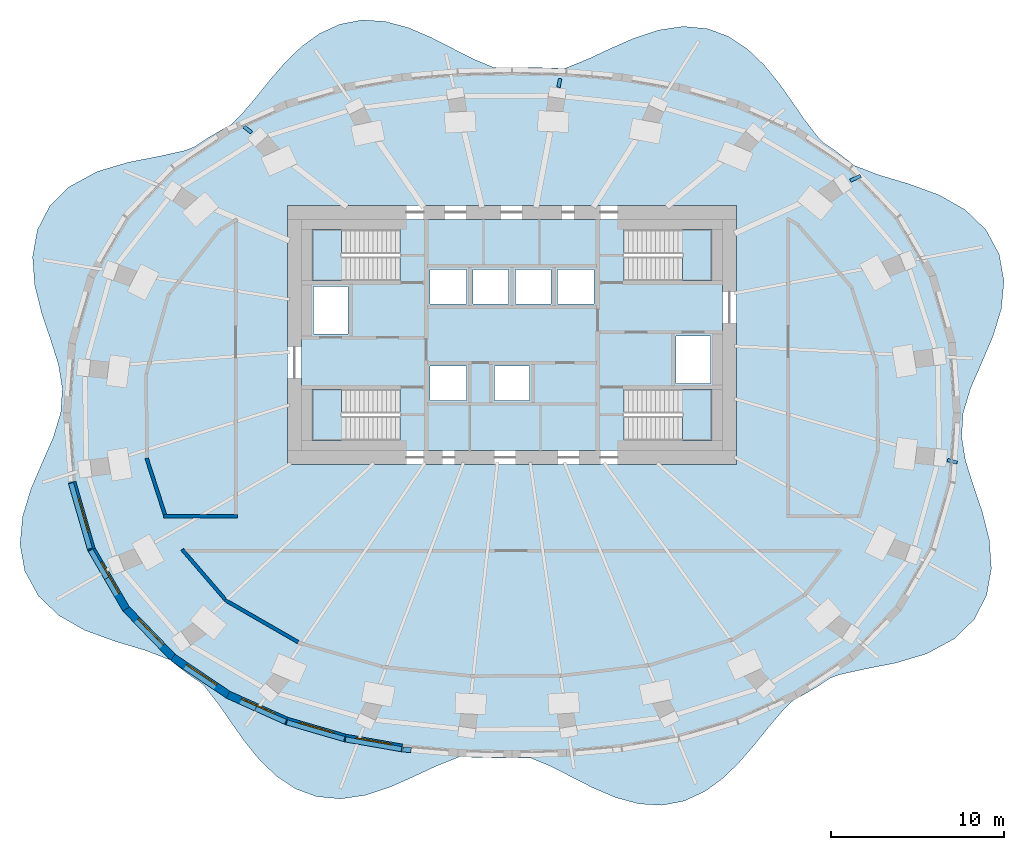
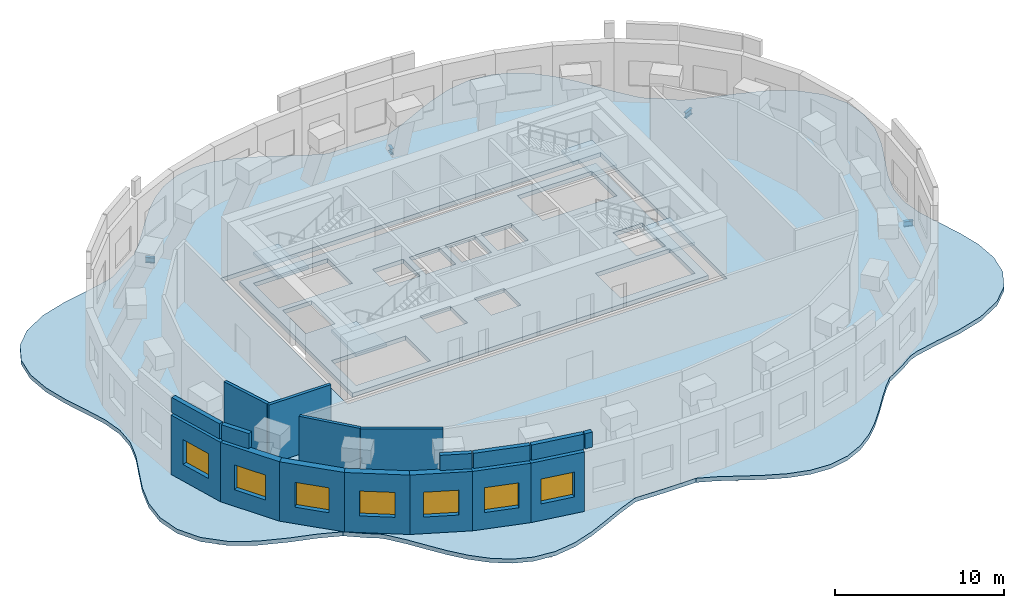
# One storey, part 3 of 9: 17 walls, 7 windows, 6 slabs, 4 beams, 7 openings, 4 elements without a shape of their own.
"""IFC4 building model written with IfcOpenShell, lengths in metres."""

from ifc_helpers import new_model, si_unit, direction, frame, frame_2d, origin, origin_2d, place, context, subcontext, project, spatial, polyline, rectangle, i_section, outline, extrude, material, layer, layer_set, material_profile, profile_set, type_object, element, fill, aggregate, save


model = new_model("IFC4")

# Units and contexts
model_context = context("Model", 3, precision=1e-05, world=origin(), true_north=direction((0.0, 1.0)))
body_context = subcontext(model_context, "Body", "Model", "MODEL_VIEW")
ifc_project = project(units=[si_unit("LENGTHUNIT", "METRE"), si_unit("AREAUNIT", "SQUARE_METRE"), si_unit("VOLUMEUNIT", "CUBIC_METRE"), si_unit("PLANEANGLEUNIT", "RADIAN"), si_unit("MASSUNIT", "GRAM", prefix="KILO")], contexts=[model_context])

# Site, building, storey
site_placement = place(None, origin())
site = spatial("IfcSite", under=ifc_project, at=site_placement, CompositionType="ELEMENT")
building_placement = place(site_placement, origin())
building = spatial("IfcBuilding", under=site, at=building_placement, Name="Rubra Terraces Tower", CompositionType="ELEMENT")
storey_placement = place(building_placement, frame((0.0, 0.0, 264.300048828125)))
storey = spatial("IfcBuildingStorey", under=building, at=storey_placement, Name="L65", CompositionType="ELEMENT", Elevation=264.300048828125)

# Beams
ifc_material_1 = material(Name="Steel Q355B", Category="steel")
ifc_material_profile = material_profile(ifc_material_1, i_section(OverallWidth=0.199951171875, OverallDepth=0.39990234375, WebThickness=0.008056640625, FlangeThickness=0.012939453125, at=origin_2d()), Name="HN 400x200x8x13")
ifc_profile_set = profile_set([ifc_material_profile], Name="Steel Q355B")
beam_type = type_object("IfcBeamType", Name="CANTILEVER STUB HN 400x200x8x13", PredefinedType="BEAM", material=ifc_profile_set)
beam_1_placement = place(storey_placement, frame((19.596923828125, 13.43896484375, -0.5), z_axis=(0.909470504051, 0.415768447891, 0.0), x_axis=(-0.415768447891, 0.909470504051, 0.0)))
element("IfcBeam", 1, at=beam_1_placement, inside=storey, type_object=beam_type, Name="beam-L65-cant-03", PredefinedType="BEAM", context=body_context, shape_type="SweptSolid", body=[
    extrude(i_section(OverallWidth=0.199951171875, OverallDepth=0.39990234375, WebThickness=0.008056640625, FlangeThickness=0.012939453125, at=origin_2d()), origin(), (0.0, 0.0, 1.0), 0.6640625),
])
beam_2_placement = place(storey_placement, frame((2.695068359375, 18.85400390625, -0.5), z_axis=(0.18545173959, 0.982653373414, 0.0), x_axis=(-0.982653373414, 0.18545173959, 0.0)))
element("IfcBeam", 2, at=beam_2_placement, inside=storey, type_object=beam_type, Name="beam-L65-cant-06", PredefinedType="BEAM", context=body_context, shape_type="SweptSolid", body=[
    extrude(i_section(OverallWidth=0.199951171875, OverallDepth=0.39990234375, WebThickness=0.008056640625, FlangeThickness=0.012939453125, at=origin_2d()), origin(), (0.0, 0.0, 1.0), 0.5068359375),
])
beam_3_placement = place(storey_placement, frame((-15.087890625, 16.22705078125, -0.5), z_axis=(-0.789166518445, 0.614179294803, 0.0), x_axis=(-0.614179294803, -0.789166518445, 0.0)))
element("IfcBeam", 3, at=beam_3_placement, inside=storey, type_object=beam_type, Name="beam-L65-cant-09", PredefinedType="BEAM", context=body_context, shape_type="SweptSolid", body=[
    extrude(i_section(OverallWidth=0.199951171875, OverallDepth=0.39990234375, WebThickness=0.008056640625, FlangeThickness=0.012939453125, at=origin_2d()), origin(), (0.0, 0.0, 1.0), 0.56640625),
])
beam_4_placement = place(storey_placement, frame((25.22900390625, -2.738037109375, -0.5), z_axis=(0.961157373545, -0.276000911737, 0.0), x_axis=(0.276000911737, 0.961157373545, 0.0)))
element("IfcBeam", 4, at=beam_4_placement, inside=storey, type_object=beam_type, Name="beam-L65-cant-24", PredefinedType="BEAM", context=body_context, shape_type="SweptSolid", body=[
    extrude(i_section(OverallWidth=0.199951171875, OverallDepth=0.39990234375, WebThickness=0.008056640625, FlangeThickness=0.012939453125, at=origin_2d()), origin(), (0.0, 0.0, 1.0), 0.579345703125),
])

# Slab
ifc_material_2 = material(Name="Concrete C40", Category="concrete")
ifc_layer_1 = layer(ifc_material_2, 0.300048828125)
ifc_layer_set_1 = layer_set([ifc_layer_1], Name="Concrete C40")
slab_type_1 = type_object("IfcSlabType", Name="Core floor slab 300 concrete", PredefinedType="FLOOR", material=ifc_layer_set_1)
slab_1_placement = place(storey_placement, frame((0.0, 0.0, -0.300048828125)))
element("IfcSlab", 5, at=slab_1_placement, inside=storey, type_object=slab_type_1, Name="CORE FLOOR SLAB L65", PredefinedType="FLOOR", context=body_context, shape_type="SweptSolid", body=[
    extrude(outline(polyline([(-12.199951171875, -2.199951171875), (-12.199951171875, 11.199951171875), (12.199951171875, 11.199951171875), (12.199951171875, -2.199951171875), (-12.199951171875, -2.199951171875)]), holes=[polyline([(11.597900390625, 1.347900390625), (6.501953125, 1.347900390625), (6.501953125, -1.597900390625), (11.597900390625, -1.597900390625), (11.597900390625, 1.347900390625)]), polyline([(11.597900390625, 7.652099609375), (11.597900390625, 10.597900390625), (6.501953125, 10.597900390625), (6.501953125, 7.652099609375), (11.597900390625, 7.652099609375)]), polyline([(9.5, 1.699951171875), (11.5, 1.699951171875), (11.5, 4.449951171875), (9.5, 4.449951171875), (9.5, 1.699951171875)]), polyline([(4.75, 6.300048828125), (4.75, 8.300048828125), (2.64990234375, 8.300048828125), (2.64990234375, 6.300048828125), (4.75, 6.300048828125)]), polyline([(2.25, 8.300048828125), (0.199951171875, 8.300048828125), (0.199951171875, 6.300048828125), (2.25, 6.300048828125), (2.25, 8.300048828125)]), polyline([(1.02490234375, 0.699951171875), (1.02490234375, 2.699951171875), (-1.02490234375, 2.699951171875), (-1.02490234375, 0.699951171875), (1.02490234375, 0.699951171875)]), polyline([(-0.199951171875, 6.300048828125), (-0.199951171875, 8.300048828125), (-2.25, 8.300048828125), (-2.25, 6.300048828125), (-0.199951171875, 6.300048828125)]), polyline([(-4.75, 8.300048828125), (-4.75, 6.300048828125), (-2.64990234375, 6.300048828125), (-2.64990234375, 8.300048828125), (-4.75, 8.300048828125)]), polyline([(-2.64990234375, 0.699951171875), (-2.64990234375, 2.699951171875), (-4.75, 2.699951171875), (-4.75, 0.699951171875), (-2.64990234375, 0.699951171875)]), polyline([(-11.597900390625, -1.597900390625), (-6.501953125, -1.597900390625), (-6.501953125, 1.347900390625), (-11.597900390625, 1.347900390625), (-11.597900390625, -1.597900390625)]), polyline([(-11.597900390625, 10.597900390625), (-11.597900390625, 7.652099609375), (-6.501953125, 7.652099609375), (-6.501953125, 10.597900390625), (-11.597900390625, 10.597900390625)]), polyline([(-9.5, 4.550048828125), (-9.5, 7.300048828125), (-11.5, 7.300048828125), (-11.5, 4.550048828125), (-9.5, 4.550048828125)])]), origin(), (0.0, 0.0, 1.0), 0.300048828125),
])

# Stair, slab
stair_type = type_object("IfcStairType", Name="Core stair 1400", PredefinedType="HALF_TURN_STAIR", material=ifc_material_2)
stair_1_placement = place(storey_placement, origin())
stair_1 = element("IfcStair", 6, at=stair_1_placement, inside=storey, type_object=stair_type, Name="L65 Exit stair S1", PredefinedType="HALF_TURN_STAIR")
ifc_layer_2 = layer(ifc_material_2, 0.199951171875)
ifc_layer_set_2 = layer_set([ifc_layer_2], Name="Concrete C40")
slab_type_2 = type_object("IfcSlabType", Name="Core stair landing 200", PredefinedType="LANDING", material=ifc_layer_set_2)
slab_2_placement = place(storey_placement, frame((0.0, 0.0, 2.050048828125)))
slab_2 = element("IfcSlab", 7, at=slab_2_placement, type_object=slab_type_2, Name="S1 landing 1", PredefinedType="LANDING", context=body_context, shape_type="SweptSolid", body=[
    extrude(outline(polyline([(-9.5, -0.199951171875), (-9.5, -1.60009765625), (-9.8798828125, -1.60009765625), (-9.89990234375, -1.60009765625), (-11.60009765625, -1.60009765625), (-11.60009765625, 1.35009765625), (-9.89990234375, 1.35009765625), (-9.8779296875, 1.35009765625), (-9.8779296875, -0.050048828125), (-9.8798828125, -0.050048828125), (-9.8798828125, -0.199951171875), (-9.5, -0.199951171875)])), origin(), (0.0, 0.0, 1.0), 0.199951171875),
])
aggregate(stair_1, [slab_2])

stair_2_placement = place(storey_placement, origin())
stair_2 = element("IfcStair", 8, at=stair_2_placement, inside=storey, type_object=stair_type, Name="L65 Exit stair S2", PredefinedType="HALF_TURN_STAIR")
slab_3_placement = place(storey_placement, frame((0.0, 0.0, 2.050048828125)))
slab_3 = element("IfcSlab", 9, at=slab_3_placement, type_object=slab_type_2, Name="S2 landing 1", PredefinedType="LANDING", context=body_context, shape_type="SweptSolid", body=[
    extrude(outline(polyline([(-9.5, 9.050048828125), (-9.5, 7.64990234375), (-9.89990234375, 7.64990234375), (-11.60009765625, 7.64990234375), (-11.60009765625, 10.60009765625), (-9.89990234375, 10.60009765625), (-9.8798828125, 10.60009765625), (-9.8779296875, 10.60009765625), (-9.8779296875, 9.199951171875), (-9.8798828125, 9.199951171875), (-9.8798828125, 9.050048828125), (-9.5, 9.050048828125)])), origin(), (0.0, 0.0, 1.0), 0.199951171875),
])
aggregate(stair_2, [slab_3])

stair_3_placement = place(storey_placement, origin())
stair_3 = element("IfcStair", 10, at=stair_3_placement, inside=storey, type_object=stair_type, Name="L65 Exit stair S3", PredefinedType="HALF_TURN_STAIR")
slab_4_placement = place(storey_placement, frame((0.0, 0.0, 2.050048828125)))
slab_4 = element("IfcSlab", 11, at=slab_4_placement, type_object=slab_type_2, Name="S3 landing 1", PredefinedType="LANDING", context=body_context, shape_type="SweptSolid", body=[
    extrude(outline(polyline([(9.8798828125, 9.050048828125), (9.8798828125, 9.199951171875), (9.5, 9.199951171875), (9.5, 10.60009765625), (9.8798828125, 10.60009765625), (9.89990234375, 10.60009765625), (11.60009765625, 10.60009765625), (11.60009765625, 7.64990234375), (9.89990234375, 7.64990234375), (9.8779296875, 7.64990234375), (9.8779296875, 9.050048828125), (9.8798828125, 9.050048828125)])), origin(), (0.0, 0.0, 1.0), 0.199951171875),
])
aggregate(stair_3, [slab_4])

stair_4_placement = place(storey_placement, origin())
stair_4 = element("IfcStair", 12, at=stair_4_placement, inside=storey, type_object=stair_type, Name="L65 Exit stair S4", PredefinedType="HALF_TURN_STAIR")
slab_5_placement = place(storey_placement, frame((0.0, 0.0, 2.050048828125)))
slab_5 = element("IfcSlab", 13, at=slab_5_placement, type_object=slab_type_2, Name="S4 landing 1", PredefinedType="LANDING", context=body_context, shape_type="SweptSolid", body=[
    extrude(outline(polyline([(9.8798828125, -0.199951171875), (9.8798828125, -0.050048828125), (9.5, -0.050048828125), (9.5, 1.35009765625), (9.8798828125, 1.35009765625), (9.89990234375, 1.35009765625), (11.60009765625, 1.35009765625), (11.60009765625, -1.60009765625), (9.89990234375, -1.60009765625), (9.8798828125, -1.60009765625), (9.8779296875, -1.60009765625), (9.8779296875, -0.199951171875), (9.8798828125, -0.199951171875)])), origin(), (0.0, 0.0, 1.0), 0.199951171875),
])
aggregate(stair_4, [slab_5])

# Slab
ifc_layer_3 = layer(ifc_material_2, 0.300048828125)
ifc_layer_set_3 = layer_set([ifc_layer_3], Name="Concrete C40")
slab_type_3 = type_object("IfcSlabType", Name="FLOOR SLAB 300 COMPOSITE", PredefinedType="FLOOR", material=ifc_layer_set_3)
slab_6_placement = place(storey_placement, frame((0.0, 0.0, -0.300048828125)))
element("IfcSlab", 14, at=slab_6_placement, inside=storey, type_object=slab_type_3, Name="FLOOR SLAB L65", PredefinedType="FLOOR", context=body_context, shape_type="SweptSolid", body=[
    extrude(outline(polyline([(15.655029296875, -17.29296875), (16.27099609375, -16.68408203125), (16.5439453125, -16.5439453125), (17.666015625, -15.886962890625), (18.386962890625, -15.402099609375), (18.93896484375, -15.18798828125), (20.443115234375, -14.85302734375), (22.22412109375, -14.506103515625), (24.031982421875, -13.967041015625), (25.6650390625, -13.076904296875), (26.780029296875, -11.968994140625), (27.4951171875, -10.587890625), (27.77197265625, -9.02392578125), (27.65087890625, -7.37109375), (27.2470703125, -5.7529296875), (26.73095703125, -4.23388671875), (26.27294921875, -2.778076171875), (26.047119140625, -1.39208984375), (26.14306640625, 0.0), (26.56689453125, 1.409912109375), (27.200927734375, 2.863037109375), (27.864990234375, 4.4130859375), (28.345947265625, 6.0), (28.501953125, 7.617919921875), (28.22607421875, 9.1708984375), (27.449951171875, 10.60400390625), (26.242919921875, 11.759033203125), (24.7470703125, 12.60888671875), (22.95703125, 13.262939453125), (21.2451171875, 13.77197265625), (19.824951171875, 14.320068359375), (19.77294921875, 14.365966796875), (18.7451171875, 15.160888671875), (18.05810546875, 15.623046875), (17.797119140625, 15.873046875), (16.9560546875, 16.9560546875), (16.235107421875, 18.0), (15.468017578125, 19.083984375), (14.62109375, 20.1240234375), (13.6298828125, 21.072998046875), (12.529052734375, 21.798095703125), (11.3330078125, 22.240966796875), (9.931884765625, 22.3759765625), (8.489013671875, 22.1650390625), (7.0458984375, 21.68603515625), (5.712890625, 21.096923828125), (4.419921875, 20.491943359375), (3.1650390625, 19.985107421875), (2.992919921875, 19.93798828125), (2.10498046875, 19.972900390625), (1.052978515625, 19.9951171875), (0.0, 20.0), (-1.052978515625, 19.9951171875), (-2.2060546875, 20.471923828125), (-3.3330078125, 21.044921875), (-4.64990234375, 21.718994140625), (-5.9990234375, 22.298095703125), (-7.364990234375, 22.66796875), (-8.68798828125, 22.74609375), (-9.969970703125, 22.5029296875), (-11.180908203125, 21.943115234375), (-12.205078125, 21.195068359375), (-13.14599609375, 20.282958984375), (-14.010986328125, 19.284912109375), (-14.845947265625, 18.2490234375), (-15.655029296875, 17.29296875), (-16.27099609375, 16.68408203125), (-16.5439453125, 16.5439453125), (-17.666015625, 15.886962890625), (-18.386962890625, 15.402099609375), (-18.93896484375, 15.18798828125), (-20.443115234375, 14.85302734375), (-22.22412109375, 14.506103515625), (-24.031982421875, 13.967041015625), (-25.6650390625, 13.076904296875), (-26.780029296875, 11.968994140625), (-27.4951171875, 10.587890625), (-27.77197265625, 9.02392578125), (-27.65087890625, 7.37109375), (-27.2470703125, 5.7529296875), (-26.73095703125, 4.23388671875), (-26.27294921875, 2.778076171875), (-26.047119140625, 1.39208984375), (-26.14306640625, 0.0), (-26.56689453125, -1.409912109375), (-27.200927734375, -2.863037109375), (-27.864990234375, -4.4130859375), (-28.345947265625, -6.0), (-28.501953125, -7.617919921875), (-28.22607421875, -9.1708984375), (-27.449951171875, -10.60400390625), (-26.242919921875, -11.759033203125), (-24.7470703125, -12.60888671875), (-22.95703125, -13.262939453125), (-21.2451171875, -13.77197265625), (-19.824951171875, -14.320068359375), (-19.77294921875, -14.365966796875), (-18.7451171875, -15.160888671875), (-18.05810546875, -15.623046875), (-17.797119140625, -15.873046875), (-16.9560546875, -16.9560546875), (-16.235107421875, -18.0), (-15.468017578125, -19.083984375), (-14.62109375, -20.1240234375), (-13.6298828125, -21.072998046875), (-12.529052734375, -21.798095703125), (-11.3330078125, -22.240966796875), (-9.931884765625, -22.3759765625), (-8.489013671875, -22.1650390625), (-7.0458984375, -21.68603515625), (-5.712890625, -21.096923828125), (-4.419921875, -20.491943359375), (-3.1650390625, -19.985107421875), (-2.992919921875, -19.93798828125), (-2.10498046875, -19.972900390625), (-1.052978515625, -19.9951171875), (0.0, -20.0), (1.052978515625, -19.9951171875), (2.2060546875, -20.471923828125), (3.3330078125, -21.044921875), (4.64990234375, -21.718994140625), (5.9990234375, -22.298095703125), (7.364990234375, -22.66796875), (8.68798828125, -22.74609375), (9.969970703125, -22.5029296875), (11.180908203125, -21.943115234375), (12.205078125, -21.195068359375), (13.14599609375, -20.282958984375), (14.010986328125, -19.284912109375), (14.845947265625, -18.2490234375), (15.655029296875, -17.29296875)]), holes=[polyline([(13.0, 12.0), (13.0, -3.0), (-13.0, -3.0), (-13.0, 12.0), (13.0, 12.0)])]), origin(), (0.0, 0.0, 1.0), 0.300048828125),
])

# Wall, opening, window
ifc_material_3 = material(Name="Brick masonry red-brown", Category="masonry")
ifc_layer_4 = layer(ifc_material_3, 0.449951171875)
ifc_layer_set_4 = layer_set([ifc_layer_4], Name="Brick masonry red-brown")
wall_type_1 = type_object("IfcWallType", Name="Brick facade wall 450", PredefinedType="SOLIDWALL", material=ifc_layer_set_4)
wall_1_placement = place(storey_placement, frame((-25.49072265625, -4.009765625, 0.0), z_axis=(0.0, 0.0, 1.0), x_axis=(0.276398759245, -0.961043040601, 0.0)))
wall_1 = element("IfcWall", 15, at=wall_1_placement, inside=storey, type_object=wall_type_1, Name="Facade wall L65 bay 22", PredefinedType="SOLIDWALL", context=body_context, shape_type="SweptSolid", body=[
    extrude(rectangle(XDim=4.07373046875, YDim=0.449951171875, at=frame_2d((2.036865234375, 0.0))), origin(), (0.0, 0.0, 1.0), 4.300048828125),
])
opening_1_placement = place(wall_1_placement, frame((0.98681640625, 0.0, 1.199951171875)))
opening_1 = element("IfcOpeningElement", 16, at=opening_1_placement, cuts=wall_1, Name="Opening W4", PredefinedType="OPENING", context=body_context, shape_type="SweptSolid", body=[
    extrude(rectangle(XDim=2.10009765625, YDim=1.800048828125, at=frame_2d((1.050048828125, 0.89990234375))), frame((0.0, 0.23486328125, 0.0), z_axis=(0.0, -1.0, 0.0), x_axis=(1.0, 0.0, 0.0)), (0.0, 0.0, 1.0), 0.469970703125),
])
ifc_material_4 = material(Name="Clear glass in aluminium frame", Category="aluminium")
window_type = type_object("IfcWindowType", Name="Louvred plant window 2100 x 1800", PartitioningType="SINGLE_PANEL", PredefinedType="WINDOW", material=ifc_material_4)
window_1_placement = place(opening_1_placement, origin())
window_1 = element("IfcWindow", 17, at=window_1_placement, inside=storey, type_object=window_type, Name="Window L65 bay 22", OverallHeight=1.800048828125, OverallWidth=2.10009765625, PartitioningType="SINGLE_PANEL", PredefinedType="WINDOW", context=body_context, shape_type="SweptSolid", body=[
    extrude(rectangle(XDim=2.10009765625, YDim=1.800048828125, at=frame_2d((1.050048828125, 0.89990234375))), frame((0.0, 0.135009765625, 0.0), z_axis=(0.0, -1.0, 0.0), x_axis=(1.0, 0.0, 0.0)), (0.0, 0.0, 1.0), 0.06005859375),
])
fill(opening_1, window_1)

wall_2_placement = place(storey_placement, frame((-24.386474609375, -7.8740234375, 0.0), z_axis=(0.0, 0.0, 1.0), x_axis=(0.502055516261, -0.864835393929, 0.0)))
wall_2 = element("IfcWall", 18, at=wall_2_placement, inside=storey, type_object=wall_type_1, Name="Facade wall L65 bay 23", PredefinedType="SOLIDWALL", context=body_context, shape_type="SweptSolid", body=[
    extrude(rectangle(XDim=4.04931640625, YDim=0.449951171875, at=frame_2d((2.024658203125, 0.0))), origin(), (0.0, 0.0, 1.0), 4.300048828125),
])
opening_2_placement = place(wall_2_placement, frame((0.974609375, 0.0, 1.199951171875)))
opening_2 = element("IfcOpeningElement", 19, at=opening_2_placement, cuts=wall_2, Name="Opening W4", PredefinedType="OPENING", context=body_context, shape_type="SweptSolid", body=[
    extrude(rectangle(XDim=2.10009765625, YDim=1.800048828125, at=frame_2d((1.050048828125, 0.89990234375))), frame((0.0, 0.23486328125, 0.0), z_axis=(0.0, -1.0, 0.0), x_axis=(1.0, 0.0, 0.0)), (0.0, 0.0, 1.0), 0.469970703125),
])
window_2_placement = place(opening_2_placement, origin())
window_2 = element("IfcWindow", 20, at=window_2_placement, inside=storey, type_object=window_type, Name="Window L65 bay 23", OverallHeight=1.800048828125, OverallWidth=2.10009765625, PartitioningType="SINGLE_PANEL", PredefinedType="WINDOW", context=body_context, shape_type="SweptSolid", body=[
    extrude(rectangle(XDim=2.10009765625, YDim=1.800048828125, at=frame_2d((1.050048828125, 0.89990234375))), frame((0.0, 0.135009765625, 0.0), z_axis=(0.0, -1.0, 0.0), x_axis=(1.0, 0.0, 0.0)), (0.0, 0.0, 1.0), 0.06005859375),
])
fill(opening_2, window_2)

wall_3_placement = place(storey_placement, frame((-22.385986328125, -11.332763671875, 0.0), z_axis=(0.0, 0.0, 1.0), x_axis=(0.694225992979, -0.719757091436, 0.0)))
wall_3 = element("IfcWall", 21, at=wall_3_placement, inside=storey, type_object=wall_type_1, Name="Facade wall L65 bay 24", PredefinedType="SOLIDWALL", context=body_context, shape_type="SweptSolid", body=[
    extrude(rectangle(XDim=3.9970703125, YDim=0.449951171875, at=frame_2d((1.99853515625, 0.0))), origin(), (0.0, 0.0, 1.0), 4.300048828125),
])
opening_3_placement = place(wall_3_placement, frame((0.948486328125, 0.0, 1.199951171875)))
opening_3 = element("IfcOpeningElement", 22, at=opening_3_placement, cuts=wall_3, Name="Opening W4", PredefinedType="OPENING", context=body_context, shape_type="SweptSolid", body=[
    extrude(rectangle(XDim=2.10009765625, YDim=1.800048828125, at=frame_2d((1.050048828125, 0.89990234375))), frame((0.0, 0.23486328125, 0.0), z_axis=(0.0, -1.0, 0.0), x_axis=(1.0, 0.0, 0.0)), (0.0, 0.0, 1.0), 0.469970703125),
])
window_3_placement = place(opening_3_placement, origin())
window_3 = element("IfcWindow", 23, at=window_3_placement, inside=storey, type_object=window_type, Name="Window L65 bay 24", OverallHeight=1.800048828125, OverallWidth=2.10009765625, PartitioningType="SINGLE_PANEL", PredefinedType="WINDOW", context=body_context, shape_type="SweptSolid", body=[
    extrude(rectangle(XDim=2.10009765625, YDim=1.800048828125, at=frame_2d((1.050048828125, 0.89990234375))), frame((0.0, 0.135009765625, 0.0), z_axis=(0.0, -1.0, 0.0), x_axis=(1.0, 0.0, 0.0)), (0.0, 0.0, 1.0), 0.06005859375),
])
fill(opening_3, window_3)

wall_4_placement = place(storey_placement, frame((-19.647216796875, -14.179443359375, 0.0), z_axis=(0.0, 0.0, 1.0), x_axis=(0.829039015156, -0.559190764721, 0.0)))
wall_4 = element("IfcWall", 24, at=wall_4_placement, inside=storey, type_object=wall_type_1, Name="Facade wall L65 bay 25", PredefinedType="SOLIDWALL", context=body_context, shape_type="SweptSolid", body=[
    extrude(rectangle(XDim=3.894775390625, YDim=0.449951171875, at=frame_2d((1.947265625, 0.0))), origin(), (0.0, 0.0, 1.0), 4.300048828125),
])
opening_4_placement = place(wall_4_placement, frame((0.8974609375, 0.0, 1.199951171875)))
opening_4 = element("IfcOpeningElement", 25, at=opening_4_placement, cuts=wall_4, Name="Opening W4", PredefinedType="OPENING", context=body_context, shape_type="SweptSolid", body=[
    extrude(rectangle(XDim=2.10009765625, YDim=1.800048828125, at=frame_2d((1.050048828125, 0.89990234375))), frame((0.0, 0.23486328125, 0.0), z_axis=(0.0, -1.0, 0.0), x_axis=(1.0, 0.0, 0.0)), (0.0, 0.0, 1.0), 0.469970703125),
])
window_4_placement = place(opening_4_placement, origin())
window_4 = element("IfcWindow", 26, at=window_4_placement, inside=storey, type_object=window_type, Name="Window L65 bay 25", OverallHeight=1.800048828125, OverallWidth=2.10009765625, PartitioningType="SINGLE_PANEL", PredefinedType="WINDOW", context=body_context, shape_type="SweptSolid", body=[
    extrude(rectangle(XDim=2.10009765625, YDim=1.800048828125, at=frame_2d((1.050048828125, 0.89990234375))), frame((0.0, 0.135009765625, 0.0), z_axis=(0.0, -1.0, 0.0), x_axis=(1.0, 0.0, 0.0)), (0.0, 0.0, 1.0), 0.06005859375),
])
fill(opening_4, window_4)

wall_5_placement = place(storey_placement, frame((-16.451904296875, -16.338623046875, 0.0), z_axis=(0.0, 0.0, 1.0), x_axis=(0.912495881005, -0.409085892142, 0.0)))
wall_5 = element("IfcWall", 27, at=wall_5_placement, inside=storey, type_object=wall_type_1, Name="Facade wall L65 bay 26", PredefinedType="SOLIDWALL", context=body_context, shape_type="SweptSolid", body=[
    extrude(rectangle(XDim=3.740234375, YDim=0.449951171875, at=frame_2d((1.8701171875, 0.0))), origin(), (0.0, 0.0, 1.0), 4.300048828125),
])
opening_5_placement = place(wall_5_placement, frame((0.820068359375, 0.0, 1.199951171875)))
opening_5 = element("IfcOpeningElement", 28, at=opening_5_placement, cuts=wall_5, Name="Opening W4", PredefinedType="OPENING", context=body_context, shape_type="SweptSolid", body=[
    extrude(rectangle(XDim=2.10009765625, YDim=1.800048828125, at=frame_2d((1.050048828125, 0.89990234375))), frame((0.0, 0.23486328125, 0.0), z_axis=(0.0, -1.0, 0.0), x_axis=(1.0, 0.0, 0.0)), (0.0, 0.0, 1.0), 0.469970703125),
])
window_5_placement = place(opening_5_placement, origin())
window_5 = element("IfcWindow", 29, at=window_5_placement, inside=storey, type_object=window_type, Name="Window L65 bay 26", OverallHeight=1.800048828125, OverallWidth=2.10009765625, PartitioningType="SINGLE_PANEL", PredefinedType="WINDOW", context=body_context, shape_type="SweptSolid", body=[
    extrude(rectangle(XDim=2.10009765625, YDim=1.800048828125, at=frame_2d((1.050048828125, 0.89990234375))), frame((0.0, 0.135009765625, 0.0), z_axis=(0.0, -1.0, 0.0), x_axis=(1.0, 0.0, 0.0)), (0.0, 0.0, 1.0), 0.06005859375),
])
fill(opening_5, window_5)

wall_6_placement = place(storey_placement, frame((-13.068115234375, -17.85791015625, 0.0), z_axis=(0.0, 0.0, 1.0), x_axis=(0.96014440171, -0.27950443264, 0.0)))
wall_6 = element("IfcWall", 30, at=wall_6_placement, inside=storey, type_object=wall_type_1, Name="Facade wall L65 bay 27", PredefinedType="SOLIDWALL", context=body_context, shape_type="SweptSolid", body=[
    extrude(rectangle(XDim=3.556884765625, YDim=0.449951171875, at=frame_2d((1.7783203125, 0.0))), origin(), (0.0, 0.0, 1.0), 4.300048828125),
])
opening_6_placement = place(wall_6_placement, frame((0.728515625, 0.0, 1.199951171875)))
opening_6 = element("IfcOpeningElement", 31, at=opening_6_placement, cuts=wall_6, Name="Opening W4", PredefinedType="OPENING", context=body_context, shape_type="SweptSolid", body=[
    extrude(rectangle(XDim=2.10009765625, YDim=1.800048828125, at=frame_2d((1.050048828125, 0.89990234375))), frame((0.0, 0.23486328125, 0.0), z_axis=(0.0, -1.0, 0.0), x_axis=(1.0, 0.0, 0.0)), (0.0, 0.0, 1.0), 0.469970703125),
])
window_6_placement = place(opening_6_placement, origin())
window_6 = element("IfcWindow", 32, at=window_6_placement, inside=storey, type_object=window_type, Name="Window L65 bay 27", OverallHeight=1.800048828125, OverallWidth=2.10009765625, PartitioningType="SINGLE_PANEL", PredefinedType="WINDOW", context=body_context, shape_type="SweptSolid", body=[
    extrude(rectangle(XDim=2.10009765625, YDim=1.800048828125, at=frame_2d((1.050048828125, 0.89990234375))), frame((0.0, 0.135009765625, 0.0), z_axis=(0.0, -1.0, 0.0), x_axis=(1.0, 0.0, 0.0)), (0.0, 0.0, 1.0), 0.06005859375),
])
fill(opening_6, window_6)

wall_7_placement = place(storey_placement, frame((-9.677001953125, -18.846435546875, 0.0), z_axis=(0.0, 0.0, 1.0), x_axis=(0.984975558514, -0.172693801654, 0.0)))
wall_7 = element("IfcWall", 33, at=wall_7_placement, inside=storey, type_object=wall_type_1, Name="Facade wall L65 bay 28", PredefinedType="SOLIDWALL", context=body_context, shape_type="SweptSolid", body=[
    extrude(rectangle(XDim=3.381591796875, YDim=0.449951171875, at=frame_2d((1.69091796875, 0.0))), origin(), (0.0, 0.0, 1.0), 4.300048828125),
])
opening_7_placement = place(wall_7_placement, frame((0.640869140625, 0.0, 1.199951171875)))
opening_7 = element("IfcOpeningElement", 34, at=opening_7_placement, cuts=wall_7, Name="Opening W4", PredefinedType="OPENING", context=body_context, shape_type="SweptSolid", body=[
    extrude(rectangle(XDim=2.10009765625, YDim=1.800048828125, at=frame_2d((1.050048828125, 0.89990234375))), frame((0.0, 0.23486328125, 0.0), z_axis=(0.0, -1.0, 0.0), x_axis=(1.0, 0.0, 0.0)), (0.0, 0.0, 1.0), 0.469970703125),
])
window_7_placement = place(opening_7_placement, origin())
window_7 = element("IfcWindow", 35, at=window_7_placement, inside=storey, type_object=window_type, Name="Window L65 bay 28", OverallHeight=1.800048828125, OverallWidth=2.10009765625, PartitioningType="SINGLE_PANEL", PredefinedType="WINDOW", context=body_context, shape_type="SweptSolid", body=[
    extrude(rectangle(XDim=2.10009765625, YDim=1.800048828125, at=frame_2d((1.050048828125, 0.89990234375))), frame((0.0, 0.135009765625, 0.0), z_axis=(0.0, -1.0, 0.0), x_axis=(1.0, 0.0, 0.0)), (0.0, 0.0, 1.0), 0.06005859375),
])
fill(opening_7, window_7)

# Walls
ifc_layer_5 = layer(ifc_material_3, 0.300048828125)
ifc_layer_set_5 = layer_set([ifc_layer_5], Name="Brick masonry red-brown")
wall_type_2 = type_object("IfcWallType", Name="Brick parapet 300", PredefinedType="PARAPET", material=ifc_layer_set_5)
wall_8_placement = place(storey_placement, frame((-25.5458984375, -4.089599609375, 4.5), z_axis=(0.0, 0.0, 1.0), x_axis=(0.276428883383, -0.961034376301, 0.0)))
element("IfcWall", 36, at=wall_8_placement, inside=storey, type_object=wall_type_2, Name="Parapet L65 bay 22", PredefinedType="PARAPET", context=body_context, shape_type="SweptSolid", body=[
    extrude(rectangle(XDim=3.9453125, YDim=0.300048828125, at=frame_2d((1.97265625, 0.0))), origin(), (0.0, 0.0, 1.0), 1.099853515625),
])
wall_9_placement = place(storey_placement, frame((-24.41748046875, -7.9697265625, 4.5), z_axis=(0.0, 0.0, 1.0), x_axis=(0.502035160994, -0.864847210278, 0.0)))
element("IfcWall", 37, at=wall_9_placement, inside=storey, type_object=wall_type_2, Name="Parapet L65 bay 23", PredefinedType="PARAPET", context=body_context, shape_type="SweptSolid", body=[
    extrude(rectangle(XDim=1.878173828125, YDim=0.300048828125, at=frame_2d((0.93896484375, 0.0))), origin(), (0.0, 0.0, 1.0), 1.099853515625),
])
wall_10_placement = place(storey_placement, frame((-14.850830078125, -17.138671875, 4.5), z_axis=(0.0, 0.0, 1.0), x_axis=(0.912530810844, -0.409007969679, 0.0)))
element("IfcWall", 38, at=wall_10_placement, inside=storey, type_object=wall_type_2, Name="Parapet L65 bay 26", PredefinedType="PARAPET", context=body_context, shape_type="SweptSolid", body=[
    extrude(rectangle(XDim=1.901123046875, YDim=0.300048828125, at=frame_2d((0.95068359375, 0.0))), origin(), (0.0, 0.0, 1.0), 1.099853515625),
])
wall_11_placement = place(storey_placement, frame((-13.040283203125, -17.944091796875, 4.5), z_axis=(0.0, 0.0, 1.0), x_axis=(0.960153987317, -0.279471502372, 0.0)))
element("IfcWall", 39, at=wall_11_placement, inside=storey, type_object=wall_type_2, Name="Parapet L65 bay 27", PredefinedType="PARAPET", context=body_context, shape_type="SweptSolid", body=[
    extrude(rectangle(XDim=3.45947265625, YDim=0.300048828125, at=frame_2d((1.729736328125, 0.0))), origin(), (0.0, 0.0, 1.0), 1.099853515625),
])
wall_12_placement = place(storey_placement, frame((-9.644287109375, -18.92822265625, 4.5), z_axis=(0.0, 0.0, 1.0), x_axis=(0.984971857125, -0.172714911553, 0.0)))
element("IfcWall", 40, at=wall_12_placement, inside=storey, type_object=wall_type_2, Name="Parapet L65 bay 28", PredefinedType="PARAPET", context=body_context, shape_type="SweptSolid", body=[
    extrude(rectangle(XDim=3.292236328125, YDim=0.300048828125, at=frame_2d((1.64599609375, 0.0))), origin(), (0.0, 0.0, 1.0), 1.099853515625),
])
wall_13_placement = place(storey_placement, frame((-6.3291015625, -19.50634765625, 4.5), z_axis=(0.0, 0.0, 1.0), x_axis=(0.996264896687, -0.086349612789, 0.0)))
element("IfcWall", 41, at=wall_13_placement, inside=storey, type_object=wall_type_2, Name="Parapet L65 bay 29", PredefinedType="PARAPET", context=body_context, shape_type="SweptSolid", body=[
    extrude(rectangle(XDim=0.489013671875, YDim=0.300048828125, at=frame_2d((0.24462890625, 0.0))), origin(), (0.0, 0.0, 1.0), 1.099853515625),
])
ifc_material_5 = material(Name="Blockwork", Category="masonry")
ifc_layer_6 = layer(ifc_material_5, 0.199951171875)
ifc_layer_set_6 = layer_set([ifc_layer_6], Name="Blockwork")
wall_type_3 = type_object("IfcWallType", Name="Corridor partition 200 blockwork", PredefinedType="PARTITIONING", material=ifc_layer_set_6)
wall_14_placement = place(storey_placement, frame((-12.385986328125, -13.297119140625, 0.0), z_axis=(0.0, 0.0, 1.0), x_axis=(-0.866617890559, 0.498972375751, 0.0)))
element("IfcWall", 42, at=wall_14_placement, inside=storey, type_object=wall_type_3, Name="Partition wall", PredefinedType="PARTITIONING", context=body_context, shape_type="SweptSolid", body=[
    extrude(rectangle(XDim=4.904052734375, YDim=0.199951171875, at=frame_2d((2.4521484375, 0.0))), origin(), (0.0, 0.0, 1.0), 4.300048828125),
])
wall_15_placement = place(storey_placement, frame((-16.614013671875, -10.823974609375, 0.0), z_axis=(0.0, 0.0, 1.0), x_axis=(-0.652659458067, 0.757651391998, 0.0)))
element("IfcWall", 43, at=wall_15_placement, inside=storey, type_object=wall_type_3, Name="Partition wall", PredefinedType="PARTITIONING", context=body_context, shape_type="SweptSolid", body=[
    extrude(rectangle(XDim=3.827392578125, YDim=0.199951171875, at=frame_2d((1.91357421875, 0.0))), origin(), (0.0, 0.0, 1.0), 4.300048828125),
])
wall_16_placement = place(storey_placement, frame((-15.89990234375, -6.0, 0.0), z_axis=(0.0, 0.0, 1.0), x_axis=(-1.0, 0.0, 0.0)))
element("IfcWall", 44, at=wall_16_placement, inside=storey, type_object=wall_type_3, Name="Partition wall", PredefinedType="PARTITIONING", context=body_context, shape_type="SweptSolid", body=[
    extrude(rectangle(XDim=4.277099609375, YDim=0.199951171875, at=frame_2d((2.138671875, 0.0))), origin(), (0.0, 0.0, 1.0), 4.300048828125),
])
wall_17_placement = place(storey_placement, frame((-20.10791015625, -5.905029296875, 0.0), z_axis=(0.0, 0.0, 1.0), x_axis=(-0.308376170844, 0.951264493848, 0.0)))
element("IfcWall", 45, at=wall_17_placement, inside=storey, type_object=wall_type_3, Name="Partition wall", PredefinedType="PARTITIONING", context=body_context, shape_type="SweptSolid", body=[
    extrude(rectangle(XDim=3.4375, YDim=0.199951171875, at=frame_2d((1.71875, 0.0))), origin(), (0.0, 0.0, 1.0), 4.300048828125),
])

save(model, "model.ifc")
